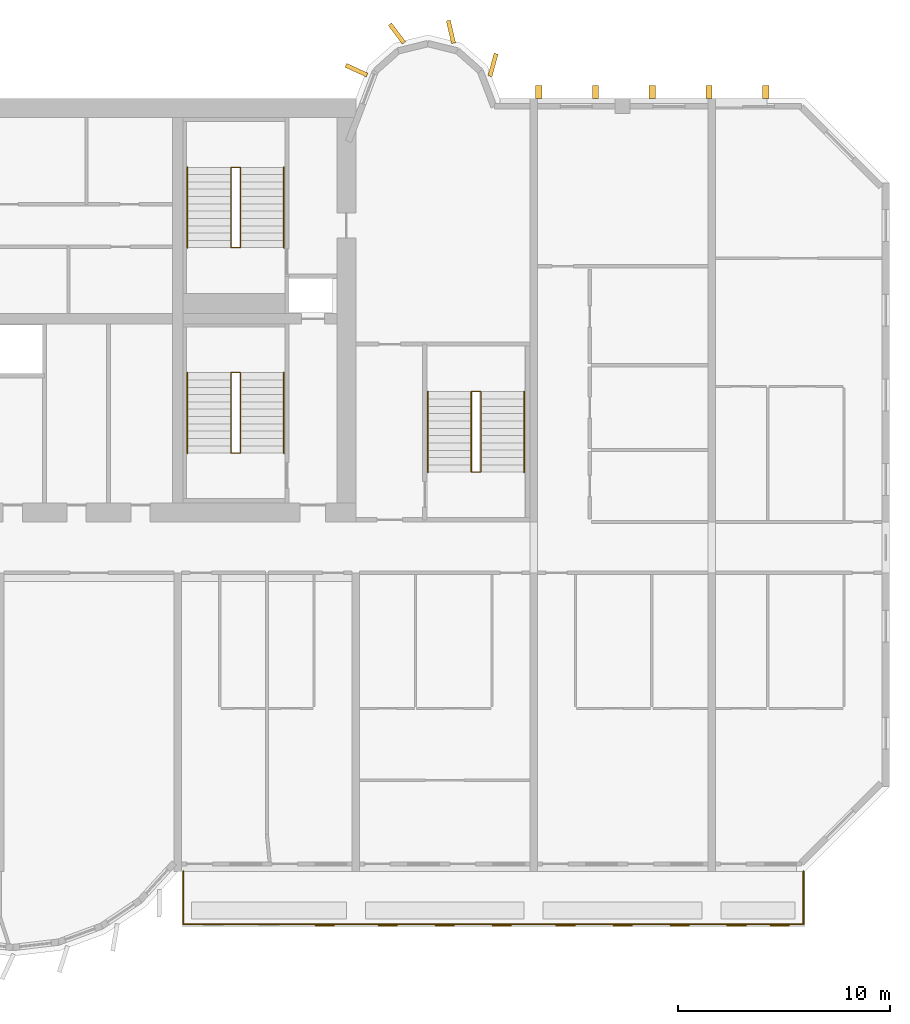
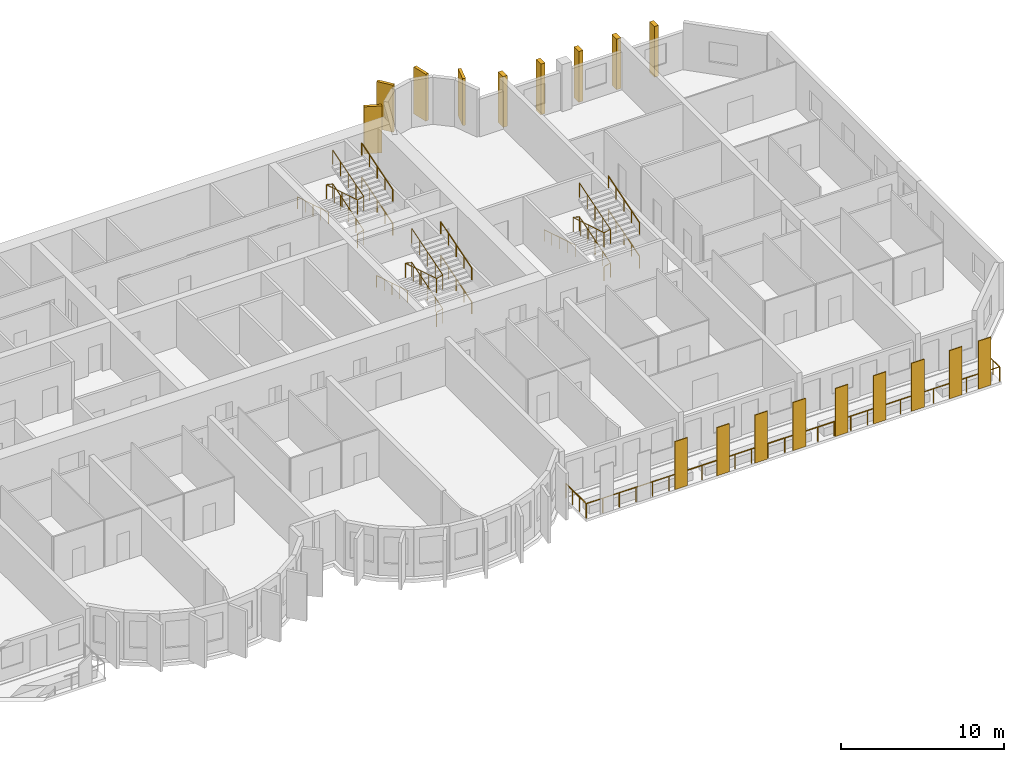
# One storey, part 13 of 14: 18 coverings, 13 railings.
"""IFC4 building model written with IfcOpenShell, lengths in metres."""

from ifc_helpers import new_model, si_unit, direction, frame, origin, origin_2d, place, context, subcontext, project, spatial, rectangle, circle, extrude, source, transform, mapped, material, layer, layer_set, material_profile, profile_set, type_object, element, save


model = new_model("IFC4")

# Units and contexts
model_context = context("Model", 3, precision=1e-05, world=origin(), true_north=direction((0.0, 1.0)))
body_context = subcontext(model_context, "Body", "Model", "MODEL_VIEW")
ifc_project = project(units=[si_unit("LENGTHUNIT", "METRE"), si_unit("AREAUNIT", "SQUARE_METRE"), si_unit("VOLUMEUNIT", "CUBIC_METRE"), si_unit("PLANEANGLEUNIT", "RADIAN"), si_unit("MASSUNIT", "GRAM", prefix="KILO")], contexts=[model_context])

# Site, building, storey
site_placement = place(None, origin())
site = spatial("IfcSite", under=ifc_project, at=site_placement, CompositionType="ELEMENT")
building_placement = place(site_placement, origin())
building = spatial("IfcBuilding", under=site, at=building_placement, Name="Vanashikhar Sky Hotel", CompositionType="ELEMENT")
storey_placement = place(building_placement, frame((0.0, 0.0, 114.199951171875)))
storey = spatial("IfcBuildingStorey", under=building, at=storey_placement, Name="L27", CompositionType="ELEMENT", Elevation=114.199951171875)

# Railing
ifc_material_1 = material(Name="Stainless steel 316", Category="steel")
railing_type_1 = type_object("IfcRailingType", Name="Balcony guard 1100", PredefinedType="GUARDRAIL", material=ifc_material_1)
shared_shape_1 = source(origin(), body_context, "Body", "SweptSolid", [
    extrude(circle(Radius=0.02392578125, at=origin_2d()), frame((0.0, 0.0, 1.076171875), z_axis=(0.0, -1.0, 0.0), x_axis=(1.0, 0.0, 0.0)), (0.0, 0.0, 1.0), 2.5),
    extrude(circle(Radius=0.02392578125, at=origin_2d()), frame((0.0, -2.5, 1.076171875), z_axis=(1.0, 0.0, 0.0), x_axis=(0.0, 1.0, 0.0)), (0.0, 0.0, 1.0), 29.280029296875),
    extrude(circle(Radius=0.02392578125, at=origin_2d()), frame((29.280029296875, -2.5, 1.076171875), z_axis=(0.0, 1.0, 0.0), x_axis=(-1.0, 0.0, 0.0)), (0.0, 0.0, 1.0), 2.5),
    extrude(circle(Radius=0.02099609375, at=origin_2d()), origin(), (0.0, 0.0, 1.0), 1.052001953125),
    extrude(circle(Radius=0.02099609375, at=origin_2d()), frame((0.0, -0.833251953125, 0.0)), (0.0, 0.0, 1.0), 1.052001953125),
    extrude(circle(Radius=0.02099609375, at=origin_2d()), frame((0.0, -1.666748046875, 0.0)), (0.0, 0.0, 1.0), 1.052001953125),
    extrude(circle(Radius=0.02099609375, at=origin_2d()), frame((0.0, -2.5, 0.0)), (0.0, 0.0, 1.0), 1.052001953125),
    extrude(circle(Radius=0.02099609375, at=origin_2d()), frame((1.171142578125, -2.5, 0.0)), (0.0, 0.0, 1.0), 1.052001953125),
    extrude(circle(Radius=0.02099609375, at=origin_2d()), frame((2.34228515625, -2.5, 0.0)), (0.0, 0.0, 1.0), 1.052001953125),
    extrude(circle(Radius=0.02099609375, at=origin_2d()), frame((3.513671875, -2.5, 0.0)), (0.0, 0.0, 1.0), 1.052001953125),
    extrude(circle(Radius=0.02099609375, at=origin_2d()), frame((4.684814453125, -2.5, 0.0)), (0.0, 0.0, 1.0), 1.052001953125),
    extrude(circle(Radius=0.02099609375, at=origin_2d()), frame((5.85595703125, -2.5, 0.0)), (0.0, 0.0, 1.0), 1.052001953125),
    extrude(circle(Radius=0.02099609375, at=origin_2d()), frame((7.027099609375, -2.5, 0.0)), (0.0, 0.0, 1.0), 1.052001953125),
    extrude(circle(Radius=0.02099609375, at=origin_2d()), frame((8.198486328125, -2.5, 0.0)), (0.0, 0.0, 1.0), 1.052001953125),
    extrude(circle(Radius=0.02099609375, at=origin_2d()), frame((9.36962890625, -2.5, 0.0)), (0.0, 0.0, 1.0), 1.052001953125),
    extrude(circle(Radius=0.02099609375, at=origin_2d()), frame((10.540771484375, -2.5, 0.0)), (0.0, 0.0, 1.0), 1.052001953125),
    extrude(circle(Radius=0.02099609375, at=origin_2d()), frame((11.7119140625, -2.5, 0.0)), (0.0, 0.0, 1.0), 1.052001953125),
    extrude(circle(Radius=0.02099609375, at=origin_2d()), frame((12.88330078125, -2.5, 0.0)), (0.0, 0.0, 1.0), 1.052001953125),
    extrude(circle(Radius=0.02099609375, at=origin_2d()), frame((14.054443359375, -2.5, 0.0)), (0.0, 0.0, 1.0), 1.052001953125),
    extrude(circle(Radius=0.02099609375, at=origin_2d()), frame((15.2255859375, -2.5, 0.0)), (0.0, 0.0, 1.0), 1.052001953125),
    extrude(circle(Radius=0.02099609375, at=origin_2d()), frame((16.396728515625, -2.5, 0.0)), (0.0, 0.0, 1.0), 1.052001953125),
    extrude(circle(Radius=0.02099609375, at=origin_2d()), frame((17.568115234375, -2.5, 0.0)), (0.0, 0.0, 1.0), 1.052001953125),
    extrude(circle(Radius=0.02099609375, at=origin_2d()), frame((18.7392578125, -2.5, 0.0)), (0.0, 0.0, 1.0), 1.052001953125),
    extrude(circle(Radius=0.02099609375, at=origin_2d()), frame((19.910400390625, -2.5, 0.0)), (0.0, 0.0, 1.0), 1.052001953125),
    extrude(circle(Radius=0.02099609375, at=origin_2d()), frame((21.08154296875, -2.5, 0.0)), (0.0, 0.0, 1.0), 1.052001953125),
    extrude(circle(Radius=0.02099609375, at=origin_2d()), frame((22.2529296875, -2.5, 0.0)), (0.0, 0.0, 1.0), 1.052001953125),
    extrude(circle(Radius=0.02099609375, at=origin_2d()), frame((23.424072265625, -2.5, 0.0)), (0.0, 0.0, 1.0), 1.052001953125),
    extrude(circle(Radius=0.02099609375, at=origin_2d()), frame((24.59521484375, -2.5, 0.0)), (0.0, 0.0, 1.0), 1.052001953125),
    extrude(circle(Radius=0.02099609375, at=origin_2d()), frame((25.766357421875, -2.5, 0.0)), (0.0, 0.0, 1.0), 1.052001953125),
    extrude(circle(Radius=0.02099609375, at=origin_2d()), frame((26.937744140625, -2.5, 0.0)), (0.0, 0.0, 1.0), 1.052001953125),
    extrude(circle(Radius=0.02099609375, at=origin_2d()), frame((28.10888671875, -2.5, 0.0)), (0.0, 0.0, 1.0), 1.052001953125),
    extrude(circle(Radius=0.02099609375, at=origin_2d()), frame((29.280029296875, -2.5, 0.0)), (0.0, 0.0, 1.0), 1.052001953125),
    extrude(circle(Radius=0.02099609375, at=origin_2d()), frame((29.280029296875, -1.666748046875, 0.0)), (0.0, 0.0, 1.0), 1.052001953125),
    extrude(circle(Radius=0.02099609375, at=origin_2d()), frame((29.280029296875, -0.833251953125, 0.0)), (0.0, 0.0, 1.0), 1.052001953125),
    extrude(circle(Radius=0.02099609375, at=origin_2d()), frame((29.280029296875, 0.0, 0.0)), (0.0, 0.0, 1.0), 1.052001953125),
])
railing_1_placement = place(storey_placement, frame((67.4599609375, 5.5, -0.050048828125)))
element("IfcRailing", 1, at=railing_1_placement, inside=storey, type_object=railing_type_1, Name="Balcony guard", PredefinedType="GUARDRAIL", context=body_context, shape_type="MappedRepresentation", body=[
    mapped(shared_shape_1, transform((0.0, 0.0, 0.0), scale=1.0)),
])

# Coverings
ifc_material_2 = material(Name="Terracotta", Category="masonry")
ifc_layer = layer(ifc_material_2, 0.06005859375)
ifc_layer_set = layer_set([ifc_layer], Name="Terracotta baguette screen")
covering_type_1 = type_object("IfcCoveringType", Name="Terracotta baguette screen", PredefinedType="CLADDING", material=ifc_layer_set)
shared_shape_2 = source(origin(), body_context, "Body", "SweptSolid", [
    extrude(rectangle(XDim=0.89990234375, YDim=0.06005859375, at=origin_2d()), origin(), (0.0, 0.0, 1.0), 3.60009765625),
])
for number, where, z_axis, x_axis, name in (
    (2, (74.13330078125, 2.929931640625, -0.050048828125), (0.0, 0.0, 1.0), (1.0, 0.0, 0.0), "Terracotta screen"),
    (3, (77.10009765625, 2.929931640625, -0.050048828125), (0.0, 0.0, 1.0), (1.0, 0.0, 0.0), "Terracotta screen"),
    (4, (79.800048828125, 2.929931640625, -0.050048828125), (0.0, 0.0, 1.0), (1.0, 0.0, 0.0), "Terracotta screen"),
    (5, (82.5, 2.929931640625, -0.050048828125), (0.0, 0.0, 1.0), (1.0, 0.0, 0.0), "Terracotta screen"),
    (6, (85.5, 2.929931640625, -0.050048828125), (0.0, 0.0, 1.0), (1.0, 0.0, 0.0), "Terracotta screen"),
    (7, (88.199951171875, 2.929931640625, -0.050048828125), (0.0, 0.0, 1.0), (1.0, 0.0, 0.0), "Terracotta screen"),
    (8, (90.89990234375, 2.929931640625, -0.050048828125), (0.0, 0.0, 1.0), (1.0, 0.0, 0.0), "Terracotta screen"),
    (9, (93.574951171875, 2.929931640625, -0.050048828125), (0.0, 0.0, 1.0), (1.0, 0.0, 0.0), "Terracotta screen"),
    (10, (95.625, 2.929931640625, -0.050048828125), (0.0, 0.0, 1.0), (1.0, 0.0, 0.0), "Terracotta screen"),
):
    element("IfcCovering", number, at=place(storey_placement, frame(where, z_axis=z_axis, x_axis=x_axis)), inside=storey, type_object=covering_type_1, Name=name, PredefinedType="CLADDING", context=body_context, shape_type="MappedRepresentation", body=[
        mapped(shared_shape_2, transform((0.0, 0.0, 0.0), scale=1.0)),
    ])
ifc_material_3 = material(Name="Concrete M60 dark", Category="concrete")
ifc_material_profile_1 = material_profile(ifc_material_3, rectangle(XDim=1.10009765625, YDim=0.199951171875, at=origin_2d()))
ifc_profile_set_1 = profile_set([ifc_material_profile_1], Name="Rear lobe fin 1100 x 200")
covering_type_2 = type_object("IfcCoveringType", Name="Rear lobe fin 1100 x 200", PredefinedType="CLADDING", material=ifc_profile_set_1)
shared_shape_3 = source(origin(), body_context, "Body", "SweptSolid", [
    extrude(rectangle(XDim=1.10009765625, YDim=0.199951171875, at=origin_2d()), origin(), (0.0, 0.0, 1.0), 3.52001953125),
])
for number, where, z_axis, x_axis, name in (
    (11, (75.63037109375, 43.33447265625, 0.0), (0.0, 0.0, 1.0), (-0.908004291068, 0.418960866193, 0.0), "Fin R2-1"),
    (12, (77.5380859375, 45.06640625, 0.0), (0.0, 0.0, 1.0), (-0.602065892195, 0.798446404874, 0.0), "Fin R2-2"),
    (13, (80.08984375, 45.1455078125, 0.0), (0.0, 0.0, 1.0), (-0.224644935864, 0.974440687159, 0.0), "Fin R2-3"),
    (14, (82.0791015625, 43.580078125, 0.0), (0.0, 0.0, 1.0), (0.262711264409, 0.964874495234, 0.0), "Fin R2-4"),
):
    element("IfcCovering", number, at=place(storey_placement, frame(where, z_axis=z_axis, x_axis=x_axis)), inside=storey, type_object=covering_type_2, Name=name, PredefinedType="CLADDING", context=body_context, shape_type="MappedRepresentation", body=[
        mapped(shared_shape_3, transform((0.0, 0.0, 0.0), scale=1.0)),
    ])
ifc_material_profile_2 = material_profile(ifc_material_3, rectangle(XDim=0.60009765625, YDim=0.300048828125, at=origin_2d()))
ifc_profile_set_2 = profile_set([ifc_material_profile_2], Name="Rear rib 600 x 300")
covering_type_3 = type_object("IfcCoveringType", Name="Rear rib 600 x 300", PredefinedType="CLADDING", material=ifc_profile_set_2)
shared_shape_4 = source(origin(), body_context, "Body", "SweptSolid", [
    extrude(rectangle(XDim=0.60009765625, YDim=0.300048828125, at=origin_2d()), origin(), (0.0, 0.0, 1.0), 3.800048828125),
])
for number, where, z_axis, x_axis, name in (
    (15, (84.239990234375, 42.300048828125, -0.280029296875), (0.0, 0.0, 1.0), (0.0, 1.0, 0.0), "Rear rib"),
    (16, (86.919921875, 42.300048828125, -0.280029296875), (0.0, 0.0, 1.0), (0.0, 1.0, 0.0), "Rear rib"),
    (17, (89.60009765625, 42.300048828125, -0.280029296875), (0.0, 0.0, 1.0), (0.0, 1.0, 0.0), "Rear rib"),
    (18, (92.280029296875, 42.300048828125, -0.280029296875), (0.0, 0.0, 1.0), (0.0, 1.0, 0.0), "Rear rib"),
    (19, (94.9599609375, 42.300048828125, -0.280029296875), (0.0, 0.0, 1.0), (0.0, 1.0, 0.0), "Rear rib"),
):
    element("IfcCovering", number, at=place(storey_placement, frame(where, z_axis=z_axis, x_axis=x_axis)), inside=storey, type_object=covering_type_3, Name=name, PredefinedType="CLADDING", context=body_context, shape_type="MappedRepresentation", body=[
        mapped(shared_shape_4, transform((0.0, 0.0, 0.0), scale=1.0)),
    ])

# Railings
ifc_material_4 = material(Name="Steel S355", Category="steel")
railing_type_2 = type_object("IfcRailingType", Name="Stair handrail 900", PredefinedType="HANDRAIL", material=ifc_material_4)
shared_shape_5 = source(origin(), body_context, "Body", "SweptSolid", [
    extrude(circle(Radius=0.02392578125, at=origin_2d()), frame((0.0, 0.0, 0.8759765625), z_axis=(0.0, 0.95635109408, 0.292220096591), x_axis=(-1.0, 0.0, 0.0)), (0.0, 0.0, 1.0), 3.973388671875),
    extrude(circle(Radius=0.02099609375, at=origin_2d()), origin(), (0.0, 0.0, 1.0), 0.851806640625),
    extrude(circle(Radius=0.02099609375, at=origin_2d()), frame((0.0, 0.949951171875, 0.290283203125)), (0.0, 0.0, 1.0), 0.851806640625),
    extrude(circle(Radius=0.02099609375, at=origin_2d()), frame((0.0, 1.89990234375, 0.58056640625)), (0.0, 0.0, 1.0), 0.851806640625),
    extrude(circle(Radius=0.02099609375, at=origin_2d()), frame((0.0, 2.85009765625, 0.870849609375)), (0.0, 0.0, 1.0), 0.851806640625),
    extrude(circle(Radius=0.02099609375, at=origin_2d()), frame((0.0, 3.800048828125, 1.1611328125)), (0.0, 0.0, 1.0), 0.851806640625),
])
for number, where, name in (
    (20, (72.199951171875, 25.25, 2.638916015625), "Exit stair 2 handrail"),
    (21, (72.199951171875, 34.949951171875, 2.638916015625), "Exit stair 6 handrail"),
):
    element("IfcRailing", number, at=place(storey_placement, frame(where)), inside=storey, type_object=railing_type_2, Name=name, PredefinedType="HANDRAIL", context=body_context, shape_type="MappedRepresentation", body=[
        mapped(shared_shape_5, transform((0.0, 0.0, 0.0), scale=1.0)),
    ])
shared_shape_6 = source(origin(), body_context, "Body", "SweptSolid", [
    extrude(circle(Radius=0.02392578125, at=origin_2d()), frame((0.0, 0.0, 0.8759765625), z_axis=(0.0, -0.95635109408, 0.292220096591), x_axis=(1.0, 0.0, 0.0)), (0.0, 0.0, 1.0), 3.973388671875),
    extrude(circle(Radius=0.02099609375, at=origin_2d()), origin(), (0.0, 0.0, 1.0), 0.851806640625),
    extrude(circle(Radius=0.02099609375, at=origin_2d()), frame((0.0, -0.949951171875, 0.290283203125)), (0.0, 0.0, 1.0), 0.851806640625),
    extrude(circle(Radius=0.02099609375, at=origin_2d()), frame((0.0, -1.89990234375, 0.58056640625)), (0.0, 0.0, 1.0), 0.851806640625),
    extrude(circle(Radius=0.02099609375, at=origin_2d()), frame((0.0, -2.85009765625, 0.870849609375)), (0.0, 0.0, 1.0), 0.851806640625),
    extrude(circle(Radius=0.02099609375, at=origin_2d()), frame((0.0, -3.800048828125, 1.1611328125)), (0.0, 0.0, 1.0), 0.851806640625),
])
for number, where, name in (
    (22, (67.64990234375, 29.050048828125, 1.372314453125), "Exit stair 2 handrail"),
    (23, (67.64990234375, 38.75, 1.372314453125), "Exit stair 6 handrail"),
):
    element("IfcRailing", number, at=place(storey_placement, frame(where)), inside=storey, type_object=railing_type_2, Name=name, PredefinedType="HANDRAIL", context=body_context, shape_type="MappedRepresentation", body=[
        mapped(shared_shape_6, transform((0.0, 0.0, 0.0), scale=1.0)),
    ])
shared_shape_7 = source(origin(), body_context, "Body", "SweptSolid", [
    extrude(circle(Radius=0.02392578125, at=origin_2d()), frame((0.0, 0.0, 0.8759765625), z_axis=(0.0, 0.956368263741, 0.292163899395), x_axis=(-1.0, 0.0, 0.0)), (0.0, 0.0, 1.0), 3.973388671875),
    extrude(circle(Radius=0.02099609375, at=origin_2d()), origin(), (0.0, 0.0, 1.0), 0.851806640625),
    extrude(circle(Radius=0.02099609375, at=origin_2d()), frame((0.0, 0.949951171875, 0.290283203125)), (0.0, 0.0, 1.0), 0.851806640625),
    extrude(circle(Radius=0.02099609375, at=origin_2d()), frame((0.0, 1.89990234375, 0.58056640625)), (0.0, 0.0, 1.0), 0.851806640625),
    extrude(circle(Radius=0.02099609375, at=origin_2d()), frame((0.0, 2.85009765625, 0.87060546875)), (0.0, 0.0, 1.0), 0.851806640625),
    extrude(circle(Radius=0.02099609375, at=origin_2d()), frame((0.0, 3.800048828125, 1.160888671875)), (0.0, 0.0, 1.0), 0.851806640625),
])
for number, where, name in (
    (24, (72.199951171875, 25.25, 0.105712890625), "Exit stair 2 handrail"),
    (25, (72.199951171875, 34.949951171875, 0.105712890625), "Exit stair 6 handrail"),
):
    element("IfcRailing", number, at=place(storey_placement, frame(where)), inside=storey, type_object=railing_type_2, Name=name, PredefinedType="HANDRAIL", context=body_context, shape_type="MappedRepresentation", body=[
        mapped(shared_shape_7, transform((0.0, 0.0, 0.0), scale=1.0)),
    ])
railing_type_3 = type_object("IfcRailingType", Name="Stair guard 1100", PredefinedType="GUARDRAIL", material=ifc_material_4)
shared_shape_8 = source(origin(), body_context, "Body", "SweptSolid", [
    extrude(circle(Radius=0.02392578125, at=origin_2d()), frame((0.0, 0.0, 1.076171875), z_axis=(0.973493315427, 0.0, 0.228715466945), x_axis=(0.0, 1.0, 0.0)), (0.0, 0.0, 1.0), 0.462158203125),
    extrude(circle(Radius=0.02392578125, at=origin_2d()), frame((0.449951171875, 0.0, 1.181640625), z_axis=(0.0, 0.956368263741, 0.292163899395), x_axis=(-1.0, 0.0, 0.0)), (0.0, 0.0, 1.0), 3.973388671875),
    extrude(circle(Radius=0.02392578125, at=origin_2d()), frame((0.449951171875, 3.800048828125, 2.3427734375), z_axis=(-0.973493315427, 0.0, 0.228715466945), x_axis=(0.0, -1.0, 0.0)), (0.0, 0.0, 1.0), 0.462158203125),
    extrude(circle(Radius=0.02392578125, at=origin_2d()), frame((0.0, 3.800048828125, 2.4482421875), z_axis=(0.0, -0.95635109408, 0.292220096591), x_axis=(1.0, 0.0, 0.0)), (0.0, 0.0, 1.0), 3.973388671875),
    extrude(circle(Radius=0.02392578125, at=origin_2d()), frame((0.0, 0.0, 3.609375), z_axis=(0.973610808694, 0.0, 0.228214796178), x_axis=(0.0, 1.0, 0.0)), (0.0, 0.0, 1.0), 0.462158203125),
    extrude(circle(Radius=0.02392578125, at=origin_2d()), frame((0.449951171875, 0.0, 3.71484375), z_axis=(0.0, 0.95635109408, 0.292220096591), x_axis=(-1.0, 0.0, 0.0)), (0.0, 0.0, 1.0), 3.973388671875),
    extrude(circle(Radius=0.02099609375, at=origin_2d()), origin(), (0.0, 0.0, 1.0), 1.052001953125),
    extrude(circle(Radius=0.02099609375, at=origin_2d()), frame((0.449951171875, 0.0, 0.105712890625)), (0.0, 0.0, 1.0), 1.052001953125),
    extrude(circle(Radius=0.02099609375, at=origin_2d()), frame((0.449951171875, 0.949951171875, 0.39599609375)), (0.0, 0.0, 1.0), 1.052001953125),
    extrude(circle(Radius=0.02099609375, at=origin_2d()), frame((0.449951171875, 1.89990234375, 0.68603515625)), (0.0, 0.0, 1.0), 1.052001953125),
    extrude(circle(Radius=0.02099609375, at=origin_2d()), frame((0.449951171875, 2.85009765625, 0.976318359375)), (0.0, 0.0, 1.0), 1.052001953125),
    extrude(circle(Radius=0.02099609375, at=origin_2d()), frame((0.449951171875, 3.800048828125, 1.2666015625)), (0.0, 0.0, 1.0), 1.052001953125),
    extrude(circle(Radius=0.02099609375, at=origin_2d()), frame((0.0, 3.800048828125, 1.372314453125)), (0.0, 0.0, 1.0), 1.052001953125),
    extrude(circle(Radius=0.02099609375, at=origin_2d()), frame((0.0, 2.85009765625, 1.66259765625)), (0.0, 0.0, 1.0), 1.052001953125),
    extrude(circle(Radius=0.02099609375, at=origin_2d()), frame((0.0, 1.89990234375, 1.952880859375)), (0.0, 0.0, 1.0), 1.052001953125),
    extrude(circle(Radius=0.02099609375, at=origin_2d()), frame((0.0, 0.949951171875, 2.2431640625)), (0.0, 0.0, 1.0), 1.052001953125),
    extrude(circle(Radius=0.02099609375, at=origin_2d()), frame((0.0, 0.0, 2.533447265625)), (0.0, 0.0, 1.0), 1.052001953125),
    extrude(circle(Radius=0.02099609375, at=origin_2d()), frame((0.449951171875, 0.0, 2.638916015625)), (0.0, 0.0, 1.0), 1.052001953125),
    extrude(circle(Radius=0.02099609375, at=origin_2d()), frame((0.449951171875, 0.949951171875, 2.92919921875)), (0.0, 0.0, 1.0), 1.052001953125),
    extrude(circle(Radius=0.02099609375, at=origin_2d()), frame((0.449951171875, 1.89990234375, 3.219482421875)), (0.0, 0.0, 1.0), 1.052001953125),
    extrude(circle(Radius=0.02099609375, at=origin_2d()), frame((0.449951171875, 2.85009765625, 3.509765625)), (0.0, 0.0, 1.0), 1.052001953125),
    extrude(circle(Radius=0.02099609375, at=origin_2d()), frame((0.449951171875, 3.800048828125, 3.800048828125)), (0.0, 0.0, 1.0), 1.052001953125),
])
for number, where, name in (
    (26, (69.699951171875, 25.25, 0.0), "Exit stair 2 guard"),
    (27, (69.699951171875, 34.949951171875, 0.0), "Exit stair 6 guard"),
):
    element("IfcRailing", number, at=place(storey_placement, frame(where)), inside=storey, type_object=railing_type_3, Name=name, PredefinedType="GUARDRAIL", context=body_context, shape_type="MappedRepresentation", body=[
        mapped(shared_shape_8, transform((0.0, 0.0, 0.0), scale=1.0)),
    ])
shared_shape_9 = source(origin(), body_context, "Body", "SweptSolid", [
    extrude(circle(Radius=0.02392578125, at=origin_2d()), frame((0.0, 0.0, 0.8759765625), z_axis=(0.0, 0.956345846891, 0.292237268557), x_axis=(-1.0, 0.0, 0.0)), (0.0, 0.0, 1.0), 3.97314453125),
    extrude(circle(Radius=0.02099609375, at=origin_2d()), origin(), (0.0, 0.0, 1.0), 0.851806640625),
    extrude(circle(Radius=0.02099609375, at=origin_2d()), frame((0.0, 0.949951171875, 0.290283203125)), (0.0, 0.0, 1.0), 0.851806640625),
    extrude(circle(Radius=0.02099609375, at=origin_2d()), frame((0.0, 1.89990234375, 0.58056640625)), (0.0, 0.0, 1.0), 0.851806640625),
    extrude(circle(Radius=0.02099609375, at=origin_2d()), frame((0.0, 2.849853515625, 0.870849609375)), (0.0, 0.0, 1.0), 0.851806640625),
    extrude(circle(Radius=0.02099609375, at=origin_2d()), frame((0.0, 3.7998046875, 1.1611328125)), (0.0, 0.0, 1.0), 0.851806640625),
])
railing_2_placement = place(storey_placement, frame((83.550048828125, 24.35009765625, 2.638916015625)))
element("IfcRailing", 28, at=railing_2_placement, inside=storey, type_object=railing_type_2, Name="Exit stair 4 handrail", PredefinedType="HANDRAIL", context=body_context, shape_type="MappedRepresentation", body=[
    mapped(shared_shape_9, transform((0.0, 0.0, 0.0), scale=1.0)),
])
shared_shape_10 = source(origin(), body_context, "Body", "SweptSolid", [
    extrude(circle(Radius=0.02392578125, at=origin_2d()), frame((0.0, 0.0, 0.8759765625), z_axis=(0.0, -0.956345846891, 0.292237268557), x_axis=(1.0, 0.0, 0.0)), (0.0, 0.0, 1.0), 3.97314453125),
    extrude(circle(Radius=0.02099609375, at=origin_2d()), origin(), (0.0, 0.0, 1.0), 0.851806640625),
    extrude(circle(Radius=0.02099609375, at=origin_2d()), frame((0.0, -0.949951171875, 0.290283203125)), (0.0, 0.0, 1.0), 0.851806640625),
    extrude(circle(Radius=0.02099609375, at=origin_2d()), frame((0.0, -1.89990234375, 0.58056640625)), (0.0, 0.0, 1.0), 0.851806640625),
    extrude(circle(Radius=0.02099609375, at=origin_2d()), frame((0.0, -2.849853515625, 0.870849609375)), (0.0, 0.0, 1.0), 0.851806640625),
    extrude(circle(Radius=0.02099609375, at=origin_2d()), frame((0.0, -3.7998046875, 1.1611328125)), (0.0, 0.0, 1.0), 0.851806640625),
])
railing_3_placement = place(storey_placement, frame((79.0, 28.14990234375, 1.372314453125)))
element("IfcRailing", 29, at=railing_3_placement, inside=storey, type_object=railing_type_2, Name="Exit stair 4 handrail", PredefinedType="HANDRAIL", context=body_context, shape_type="MappedRepresentation", body=[
    mapped(shared_shape_10, transform((0.0, 0.0, 0.0), scale=1.0)),
])
shared_shape_11 = source(origin(), body_context, "Body", "SweptSolid", [
    extrude(circle(Radius=0.02392578125, at=origin_2d()), frame((0.0, 0.0, 1.076171875), z_axis=(0.973493315427, 0.0, 0.228715466945), x_axis=(0.0, 1.0, 0.0)), (0.0, 0.0, 1.0), 0.462158203125),
    extrude(circle(Radius=0.02392578125, at=origin_2d()), frame((0.449951171875, 0.0, 1.181640625), z_axis=(0.0, 0.956363018476, 0.292181068675), x_axis=(-1.0, 0.0, 0.0)), (0.0, 0.0, 1.0), 3.97314453125),
    extrude(circle(Radius=0.02392578125, at=origin_2d()), frame((0.449951171875, 3.7998046875, 2.3427734375), z_axis=(-0.973493315427, 0.0, 0.228715466945), x_axis=(0.0, -1.0, 0.0)), (0.0, 0.0, 1.0), 0.462158203125),
    extrude(circle(Radius=0.02392578125, at=origin_2d()), frame((0.0, 3.7998046875, 2.4482421875), z_axis=(0.0, -0.956345846891, 0.292237268557), x_axis=(1.0, 0.0, 0.0)), (0.0, 0.0, 1.0), 3.97314453125),
    extrude(circle(Radius=0.02392578125, at=origin_2d()), frame((0.0, 0.0, 3.609375), z_axis=(0.973610808694, 0.0, 0.228214796178), x_axis=(0.0, 1.0, 0.0)), (0.0, 0.0, 1.0), 0.462158203125),
    extrude(circle(Radius=0.02392578125, at=origin_2d()), frame((0.449951171875, 0.0, 3.71484375), z_axis=(0.0, 0.956345846891, 0.292237268557), x_axis=(-1.0, 0.0, 0.0)), (0.0, 0.0, 1.0), 3.97314453125),
    extrude(circle(Radius=0.02099609375, at=origin_2d()), origin(), (0.0, 0.0, 1.0), 1.052001953125),
    extrude(circle(Radius=0.02099609375, at=origin_2d()), frame((0.449951171875, 0.0, 0.105712890625)), (0.0, 0.0, 1.0), 1.052001953125),
    extrude(circle(Radius=0.02099609375, at=origin_2d()), frame((0.449951171875, 0.949951171875, 0.39599609375)), (0.0, 0.0, 1.0), 1.052001953125),
    extrude(circle(Radius=0.02099609375, at=origin_2d()), frame((0.449951171875, 1.89990234375, 0.68603515625)), (0.0, 0.0, 1.0), 1.052001953125),
    extrude(circle(Radius=0.02099609375, at=origin_2d()), frame((0.449951171875, 2.849853515625, 0.976318359375)), (0.0, 0.0, 1.0), 1.052001953125),
    extrude(circle(Radius=0.02099609375, at=origin_2d()), frame((0.449951171875, 3.7998046875, 1.2666015625)), (0.0, 0.0, 1.0), 1.052001953125),
    extrude(circle(Radius=0.02099609375, at=origin_2d()), frame((0.0, 3.7998046875, 1.372314453125)), (0.0, 0.0, 1.0), 1.052001953125),
    extrude(circle(Radius=0.02099609375, at=origin_2d()), frame((0.0, 2.849853515625, 1.66259765625)), (0.0, 0.0, 1.0), 1.052001953125),
    extrude(circle(Radius=0.02099609375, at=origin_2d()), frame((0.0, 1.89990234375, 1.952880859375)), (0.0, 0.0, 1.0), 1.052001953125),
    extrude(circle(Radius=0.02099609375, at=origin_2d()), frame((0.0, 0.949951171875, 2.2431640625)), (0.0, 0.0, 1.0), 1.052001953125),
    extrude(circle(Radius=0.02099609375, at=origin_2d()), frame((0.0, 0.0, 2.533447265625)), (0.0, 0.0, 1.0), 1.052001953125),
    extrude(circle(Radius=0.02099609375, at=origin_2d()), frame((0.449951171875, 0.0, 2.638916015625)), (0.0, 0.0, 1.0), 1.052001953125),
    extrude(circle(Radius=0.02099609375, at=origin_2d()), frame((0.449951171875, 0.949951171875, 2.92919921875)), (0.0, 0.0, 1.0), 1.052001953125),
    extrude(circle(Radius=0.02099609375, at=origin_2d()), frame((0.449951171875, 1.89990234375, 3.219482421875)), (0.0, 0.0, 1.0), 1.052001953125),
    extrude(circle(Radius=0.02099609375, at=origin_2d()), frame((0.449951171875, 2.849853515625, 3.509765625)), (0.0, 0.0, 1.0), 1.052001953125),
    extrude(circle(Radius=0.02099609375, at=origin_2d()), frame((0.449951171875, 3.7998046875, 3.800048828125)), (0.0, 0.0, 1.0), 1.052001953125),
])
railing_4_placement = place(storey_placement, frame((81.050048828125, 24.35009765625, 0.0)))
element("IfcRailing", 30, at=railing_4_placement, inside=storey, type_object=railing_type_3, Name="Exit stair 4 guard", PredefinedType="GUARDRAIL", context=body_context, shape_type="MappedRepresentation", body=[
    mapped(shared_shape_11, transform((0.0, 0.0, 0.0), scale=1.0)),
])
shared_shape_12 = source(origin(), body_context, "Body", "SweptSolid", [
    extrude(circle(Radius=0.02392578125, at=origin_2d()), frame((0.0, 0.0, 0.8759765625), z_axis=(0.0, 0.956363018476, 0.292181068675), x_axis=(-1.0, 0.0, 0.0)), (0.0, 0.0, 1.0), 3.97314453125),
    extrude(circle(Radius=0.02099609375, at=origin_2d()), origin(), (0.0, 0.0, 1.0), 0.851806640625),
    extrude(circle(Radius=0.02099609375, at=origin_2d()), frame((0.0, 0.949951171875, 0.290283203125)), (0.0, 0.0, 1.0), 0.851806640625),
    extrude(circle(Radius=0.02099609375, at=origin_2d()), frame((0.0, 1.89990234375, 0.58056640625)), (0.0, 0.0, 1.0), 0.851806640625),
    extrude(circle(Radius=0.02099609375, at=origin_2d()), frame((0.0, 2.849853515625, 0.87060546875)), (0.0, 0.0, 1.0), 0.851806640625),
    extrude(circle(Radius=0.02099609375, at=origin_2d()), frame((0.0, 3.7998046875, 1.160888671875)), (0.0, 0.0, 1.0), 0.851806640625),
])
railing_5_placement = place(storey_placement, frame((83.550048828125, 24.35009765625, 0.105712890625)))
element("IfcRailing", 31, at=railing_5_placement, inside=storey, type_object=railing_type_2, Name="Exit stair 4 handrail", PredefinedType="HANDRAIL", context=body_context, shape_type="MappedRepresentation", body=[
    mapped(shared_shape_12, transform((0.0, 0.0, 0.0), scale=1.0)),
])

save(model, "model.ifc")
